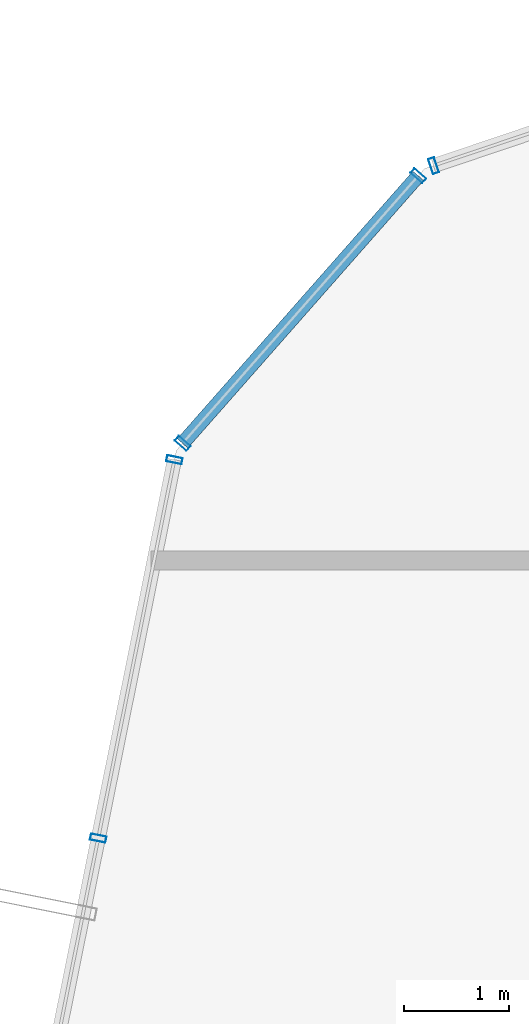
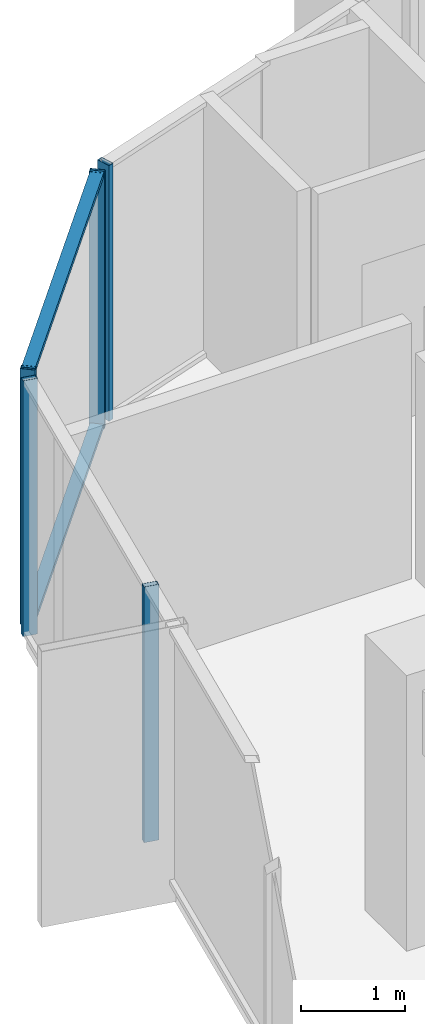
# One storey, part 13 of 28: 7 members, 3 elements without a shape of their own.
"""IFC4 building model written with IfcOpenShell, lengths in metres."""

from ifc_helpers import new_model, si_unit, direction, frame, origin, origin_2d, place, context, subcontext, project, spatial, hollow_rectangle, extrude, source, transform, mapped, material, layer, layer_set, material_profile, profile_set, type_object, element, aggregate, save


model = new_model("IFC4")

# Units and contexts
model_context = context("Model", 3, precision=1e-05, world=origin(), true_north=direction((0.0, 1.0)))
body_context = subcontext(model_context, "Body", "Model", "MODEL_VIEW")
ifc_project = project(units=[si_unit("LENGTHUNIT", "METRE"), si_unit("AREAUNIT", "SQUARE_METRE"), si_unit("VOLUMEUNIT", "CUBIC_METRE"), si_unit("PLANEANGLEUNIT", "RADIAN"), si_unit("MASSUNIT", "GRAM", prefix="KILO")], contexts=[model_context])

# Site, building, storey
site_placement = place(None, origin())
site = spatial("IfcSite", under=ifc_project, at=site_placement, CompositionType="ELEMENT")
building_placement = place(site_placement, origin())
building = spatial("IfcBuilding", under=site, at=building_placement, Name="Veraguas Prism Commons", CompositionType="ELEMENT")
storey_placement = place(building_placement, frame((0.0, 0.0, 248.0)))
storey = spatial("IfcBuildingStorey", under=building, at=storey_placement, Name="L70", CompositionType="ELEMENT", Elevation=248.0)

# Curtain wall, member
ifc_material = material(Name="Anodised aluminium EN AW-6063 T6", Category="aluminium")
ifc_layer = layer(ifc_material, 0.14990234375, Name="Unitised Flush Curtain Wall Zone 4", Category="aluminium")
ifc_layer_set = layer_set([ifc_layer], Name="Anodised aluminium EN AW-6063 T6")
curtain_wall_type = type_object("IfcCurtainWallType", Name="Unitised Flush Curtain Wall Zone 4", PredefinedType="NOTDEFINED", material=ifc_layer_set)
curtain_wall_1_placement = place(storey_placement, origin())
curtain_wall_1 = element("IfcCurtainWall", 1, at=curtain_wall_1_placement, inside=storey, type_object=curtain_wall_type, Name="Tower Facade Curtain Wall L70-F2", PredefinedType="NOTDEFINED")
ifc_material_profile_1 = material_profile(ifc_material, hollow_rectangle(XDim=0.06005859375, YDim=0.14990234375, WallThickness=0.0029296875, at=origin_2d()), Name="AL60X150X3")
ifc_profile_set_1 = profile_set([ifc_material_profile_1], Name="Anodised aluminium EN AW-6063 T6")
member_type_1 = type_object("IfcMemberType", Name="Curtain Wall Mullion Upper AL 60x150x3", PredefinedType="MULLION", material=ifc_profile_set_1)
shared_shape_1 = source(origin(), body_context, "Body", "SweptSolid", [
    extrude(hollow_rectangle(XDim=0.06005859375, YDim=0.14990234375, WallThickness=0.0029296875, at=origin_2d()), origin(), (0.0, 0.0, 1.0), 3.014892578125),
])
member_1_placement = place(storey_placement, frame((11.778076171875, 37.245361328125, 0.0), z_axis=(0.0, 0.0, 1.0), x_axis=(-0.94765924351, -0.319283507543, 0.0)))
member_1 = element("IfcMember", 2, at=member_1_placement, type_object=member_type_1, Name="CW-Z4 Mullion 5", PredefinedType="MULLION", context=body_context, shape_type="MappedRepresentation", body=[
    mapped(shared_shape_1, transform((0.0, 0.0, 0.0), scale=1.0)),
])
aggregate(curtain_wall_1, [member_1])

# Curtain wall, members
curtain_wall_2_placement = place(storey_placement, origin())
curtain_wall_2 = element("IfcCurtainWall", 3, at=curtain_wall_2_placement, inside=storey, type_object=curtain_wall_type, Name="Tower Facade Curtain Wall L70-F3", PredefinedType="NOTDEFINED")
member_2_placement = place(storey_placement, frame((9.320068359375, 34.455322265625, 0.0), z_axis=(0.0, 0.0, 1.0), x_axis=(-0.197318571184, -0.980339421561, 0.0)))
member_2 = element("IfcMember", 4, at=member_2_placement, type_object=member_type_1, Name="CW-Z4 Mullion 1", PredefinedType="MULLION", context=body_context, shape_type="MappedRepresentation", body=[
    mapped(shared_shape_1, transform((0.0, 0.0, 0.0), scale=1.0)),
])
member_3_placement = place(storey_placement, frame((8.597412109375, 30.86572265625, 0.0), z_axis=(0.0, 0.0, 1.0), x_axis=(-0.197318571184, -0.980339421561, 0.0)))
member_3 = element("IfcMember", 5, at=member_3_placement, type_object=member_type_1, Name="CW-Z4 Mullion 2", PredefinedType="MULLION", context=body_context, shape_type="MappedRepresentation", body=[
    mapped(shared_shape_1, transform((0.0, 0.0, 0.0), scale=1.0)),
])
aggregate(curtain_wall_2, [member_2, member_3])

curtain_wall_3_placement = place(storey_placement, origin())
curtain_wall_3 = element("IfcCurtainWall", 6, at=curtain_wall_3_placement, inside=storey, type_object=curtain_wall_type, Name="Chamfer Curtain Wall L70-C3", PredefinedType="NOTDEFINED")
member_4_placement = place(storey_placement, frame((11.633056640625, 37.149169921875, 0.0), z_axis=(0.0, 0.0, 1.0), x_axis=(-0.661032961994, -0.75035686387, 0.0)))
member_4 = element("IfcMember", 7, at=member_4_placement, type_object=member_type_1, Name="CW-Z4 Mullion 1", PredefinedType="MULLION", context=body_context, shape_type="MappedRepresentation", body=[
    mapped(shared_shape_1, transform((0.0, 0.0, 0.0), scale=1.0)),
])
member_5_placement = place(storey_placement, frame((9.397216796875, 34.611083984375, 0.0), z_axis=(0.0, 0.0, 1.0), x_axis=(-0.661032961994, -0.75035686387, 0.0)))
member_5 = element("IfcMember", 8, at=member_5_placement, type_object=member_type_1, Name="CW-Z4 Mullion 2", PredefinedType="MULLION", context=body_context, shape_type="MappedRepresentation", body=[
    mapped(shared_shape_1, transform((0.0, 0.0, 0.0), scale=1.0)),
])
ifc_material_profile_2 = material_profile(ifc_material, hollow_rectangle(XDim=0.054931640625, YDim=0.135009765625, WallThickness=0.0029296875, at=origin_2d()), Name="AL55X135X3")
ifc_profile_set_2 = profile_set([ifc_material_profile_2], Name="Anodised aluminium EN AW-6063 T6")
member_type_2 = type_object("IfcMemberType", Name="Curtain Wall Transom Standard AL 55x135x3", PredefinedType="USERDEFINED", material=ifc_profile_set_2)
shared_shape_2 = source(origin(), body_context, "Body", "SweptSolid", [
    extrude(hollow_rectangle(XDim=0.054931640625, YDim=0.135009765625, WallThickness=0.0029296875, at=origin_2d()), origin(), (0.0, 0.0, 1.0), 3.38232421875),
])
member_6_placement = place(storey_placement, frame((11.633056640625, 37.149169921875, 0.027587890625), z_axis=(-0.661015061195, -0.750372633346, 0.0), x_axis=(0.0, 0.0, 1.0)))
member_6 = element("IfcMember", 9, at=member_6_placement, type_object=member_type_2, Name="CW-Z4 Transom 1", ObjectType="TRANSOM", PredefinedType="USERDEFINED", context=body_context, shape_type="MappedRepresentation", body=[
    mapped(shared_shape_2, transform((0.0, 0.0, 0.0), scale=1.0)),
])
member_7_placement = place(storey_placement, frame((11.633056640625, 37.149169921875, 2.987548828125), z_axis=(-0.661015061195, -0.750372633346, 0.0), x_axis=(0.0, 0.0, 1.0)))
member_7 = element("IfcMember", 10, at=member_7_placement, type_object=member_type_2, Name="CW-Z4 Transom 2", ObjectType="TRANSOM", PredefinedType="USERDEFINED", context=body_context, shape_type="MappedRepresentation", body=[
    mapped(shared_shape_2, transform((0.0, 0.0, 0.0), scale=1.0)),
])
aggregate(curtain_wall_3, [member_4, member_5, member_6, member_7])

save(model, "model.ifc")
